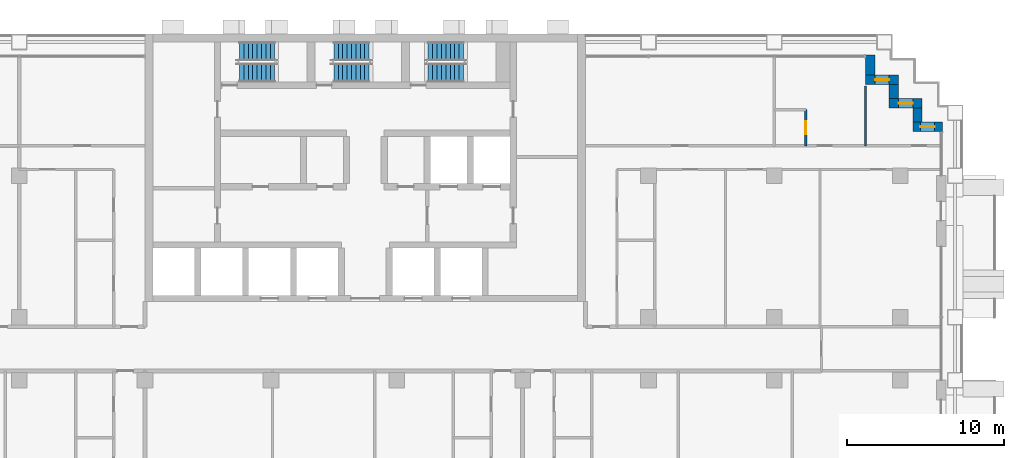
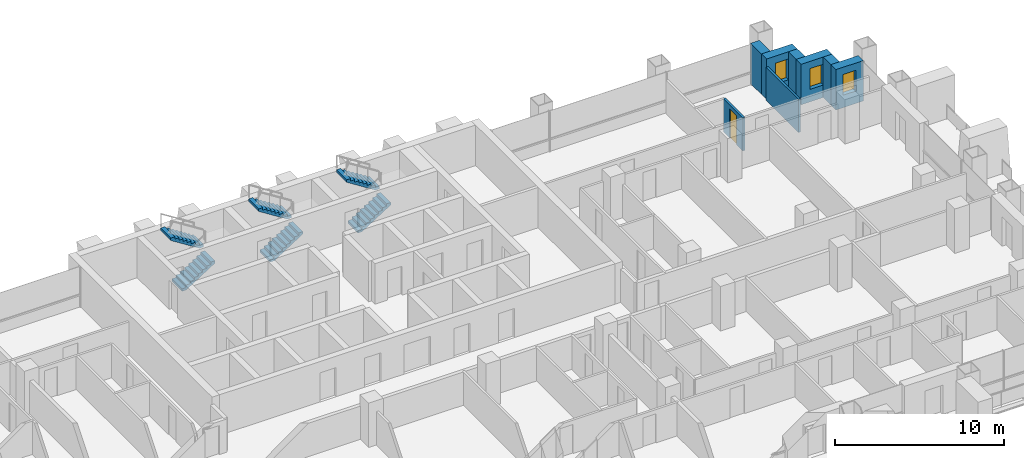
# One storey, part 14 of 18: 8 walls, 6 stair flights, 3 windows, 1 door, 4 openings, 3 elements without a shape of their own.
"""IFC4 building model written with IfcOpenShell, lengths in metres."""

from ifc_helpers import new_model, si_unit, direction, frame, frame_2d, origin, place, context, subcontext, project, spatial, polyline, rectangle, outline, extrude, material, layer, layer_set, type_object, element, fill, aggregate, save


model = new_model("IFC4")

# Units and contexts
model_context = context("Model", 3, precision=1e-05, world=origin(), true_north=direction((0.0, 1.0)))
body_context = subcontext(model_context, "Body", "Model", "MODEL_VIEW")
ifc_project = project(units=[si_unit("LENGTHUNIT", "METRE"), si_unit("AREAUNIT", "SQUARE_METRE"), si_unit("VOLUMEUNIT", "CUBIC_METRE"), si_unit("PLANEANGLEUNIT", "RADIAN"), si_unit("MASSUNIT", "GRAM", prefix="KILO")], contexts=[model_context])

# Site, building, storey
site_placement = place(None, origin())
site = spatial("IfcSite", under=ifc_project, at=site_placement, CompositionType="ELEMENT")
building_placement = place(site_placement, origin())
building = spatial("IfcBuilding", under=site, at=building_placement, Name="Vidyagriha Tower", CompositionType="ELEMENT")
storey_placement = place(building_placement, frame((0.0, 0.0, 51.199951171875)))
storey = spatial("IfcBuildingStorey", under=building, at=storey_placement, Name="L13", CompositionType="ELEMENT", Elevation=51.199951171875)

# Wall, opening, window
ifc_material_1 = material(Name="Precast concrete C40/50 with brick facing", Category="concrete")
ifc_layer_1 = layer(ifc_material_1, 0.60009765625)
ifc_layer_set_1 = layer_set([ifc_layer_1], Name="Precast concrete C40/50 with brick facing")
wall_type_1 = type_object("IfcWallType", Name="Brick-faced precast wall 600", PredefinedType="STANDARD", material=ifc_layer_set_1)
wall_1_placement = place(storey_placement, frame((36.679931640625, 14.10009765625, 0.0), z_axis=(0.0, 0.0, 1.0), x_axis=(-1.0, 0.0, 0.0)))
wall_1 = element("IfcWall", 1, at=wall_1_placement, inside=storey, type_object=wall_type_1, Name="Stepped corner wall L13 R01", PredefinedType="STANDARD", context=body_context, shape_type="SweptSolid", body=[
    extrude(rectangle(XDim=1.8798828125, YDim=0.60009765625, at=frame_2d((0.93994140625, 0.0))), origin(), (0.0, 0.0, 1.0), 2.920166015625),
])
opening_1_placement = place(wall_1_placement, frame((0.489990234375, 0.0, 0.89990234375)))
opening_1 = element("IfcOpeningElement", 2, at=opening_1_placement, cuts=wall_1, Name="Opening WN1", PredefinedType="OPENING", context=body_context, shape_type="SweptSolid", body=[
    extrude(rectangle(XDim=0.89990234375, YDim=1.5, at=frame_2d((0.449951171875, 0.75))), frame((0.0, 0.31005859375, 0.0), z_axis=(0.0, -1.0, 0.0), x_axis=(1.0, 0.0, 0.0)), (0.0, 0.0, 1.0), 0.6201171875),
])
ifc_material_2 = material(Name="Aluminium and glass window", Category="aluminium")
window_type = type_object("IfcWindowType", Name="Reveal window 900x1500", PartitioningType="NOTDEFINED", PredefinedType="WINDOW", material=ifc_material_2)
window_1_placement = place(opening_1_placement, origin())
window_1 = element("IfcWindow", 3, at=window_1_placement, inside=storey, type_object=window_type, Name="Reveal window L13 R01", OverallHeight=1.5, OverallWidth=0.89990234375, PartitioningType="SINGLE_PANEL", PredefinedType="WINDOW", context=body_context, shape_type="SweptSolid", body=[
    extrude(rectangle(XDim=0.89990234375, YDim=1.5, at=frame_2d((0.449951171875, 0.75))), frame((0.0, 0.030029296875, 0.0), z_axis=(0.0, -1.0, 0.0), x_axis=(1.0, 0.0, 0.0)), (0.0, 0.0, 1.0), 0.06005859375),
])
fill(opening_1, window_1)

# Wall
wall_2_placement = place(storey_placement, frame((35.10009765625, 14.39990234375, 0.0), z_axis=(0.0, 0.0, 1.0), x_axis=(0.0, 1.0, 0.0)))
element("IfcWall", 4, at=wall_2_placement, inside=storey, type_object=wall_type_1, Name="Stepped corner wall L13 R02", PredefinedType="STANDARD", context=body_context, shape_type="SweptSolid", body=[
    extrude(rectangle(XDim=0.900146484375, YDim=0.60009765625, at=frame_2d((0.4501953125, 0.0))), origin(), (0.0, 0.0, 1.0), 2.920166015625),
])

# Wall, opening, window
wall_3_placement = place(storey_placement, frame((35.39990234375, 15.60009765625, 0.0), z_axis=(0.0, 0.0, 1.0), x_axis=(-1.0, 0.0, 0.0)))
wall_3 = element("IfcWall", 5, at=wall_3_placement, inside=storey, type_object=wall_type_1, Name="Stepped corner wall L13 R03", PredefinedType="STANDARD", context=body_context, shape_type="SweptSolid", body=[
    extrude(rectangle(XDim=2.099853515625, YDim=0.60009765625, at=frame_2d((1.0498046875, 0.0))), origin(), (0.0, 0.0, 1.0), 2.920166015625),
])
opening_2_placement = place(wall_3_placement, frame((0.60009765625, 0.0, 0.89990234375)))
opening_2 = element("IfcOpeningElement", 6, at=opening_2_placement, cuts=wall_3, Name="Opening WN1", PredefinedType="OPENING", context=body_context, shape_type="SweptSolid", body=[
    extrude(rectangle(XDim=0.89990234375, YDim=1.5, at=frame_2d((0.449951171875, 0.75))), frame((0.0, 0.31005859375, 0.0), z_axis=(0.0, -1.0, 0.0), x_axis=(1.0, 0.0, 0.0)), (0.0, 0.0, 1.0), 0.6201171875),
])
window_2_placement = place(opening_2_placement, origin())
window_2 = element("IfcWindow", 7, at=window_2_placement, inside=storey, type_object=window_type, Name="Reveal window L13 R03", OverallHeight=1.5, OverallWidth=0.89990234375, PartitioningType="SINGLE_PANEL", PredefinedType="WINDOW", context=body_context, shape_type="SweptSolid", body=[
    extrude(rectangle(XDim=0.89990234375, YDim=1.5, at=frame_2d((0.449951171875, 0.75))), frame((0.0, 0.030029296875, 0.0), z_axis=(0.0, -1.0, 0.0), x_axis=(1.0, 0.0, 0.0)), (0.0, 0.0, 1.0), 0.06005859375),
])
fill(opening_2, window_2)

# Wall
wall_4_placement = place(storey_placement, frame((33.60009765625, 15.89990234375, 0.0), z_axis=(0.0, 0.0, 1.0), x_axis=(0.0, 1.0, 0.0)))
element("IfcWall", 8, at=wall_4_placement, inside=storey, type_object=wall_type_1, Name="Stepped corner wall L13 R04", PredefinedType="STANDARD", context=body_context, shape_type="SweptSolid", body=[
    extrude(rectangle(XDim=0.900146484375, YDim=0.60009765625, at=frame_2d((0.4501953125, 0.0))), origin(), (0.0, 0.0, 1.0), 2.920166015625),
])

# Wall, opening, window
wall_5_placement = place(storey_placement, frame((33.89990234375, 17.10009765625, 0.0), z_axis=(0.0, 0.0, 1.0), x_axis=(-1.0, 0.0, 0.0)))
wall_5 = element("IfcWall", 9, at=wall_5_placement, inside=storey, type_object=wall_type_1, Name="Stepped corner wall L13 R05", PredefinedType="STANDARD", context=body_context, shape_type="SweptSolid", body=[
    extrude(rectangle(XDim=2.099853515625, YDim=0.60009765625, at=frame_2d((1.0498046875, 0.0))), origin(), (0.0, 0.0, 1.0), 2.920166015625),
])
opening_3_placement = place(wall_5_placement, frame((0.60009765625, 0.0, 0.89990234375)))
opening_3 = element("IfcOpeningElement", 10, at=opening_3_placement, cuts=wall_5, Name="Opening WN1", PredefinedType="OPENING", context=body_context, shape_type="SweptSolid", body=[
    extrude(rectangle(XDim=0.89990234375, YDim=1.5, at=frame_2d((0.449951171875, 0.75))), frame((0.0, 0.31005859375, 0.0), z_axis=(0.0, -1.0, 0.0), x_axis=(1.0, 0.0, 0.0)), (0.0, 0.0, 1.0), 0.6201171875),
])
window_3_placement = place(opening_3_placement, origin())
window_3 = element("IfcWindow", 11, at=window_3_placement, inside=storey, type_object=window_type, Name="Reveal window L13 R05", OverallHeight=1.5, OverallWidth=0.89990234375, PartitioningType="SINGLE_PANEL", PredefinedType="WINDOW", context=body_context, shape_type="SweptSolid", body=[
    extrude(rectangle(XDim=0.89990234375, YDim=1.5, at=frame_2d((0.449951171875, 0.75))), frame((0.0, 0.030029296875, 0.0), z_axis=(0.0, -1.0, 0.0), x_axis=(1.0, 0.0, 0.0)), (0.0, 0.0, 1.0), 0.06005859375),
])
fill(opening_3, window_3)

# Walls
wall_6_placement = place(storey_placement, frame((32.10009765625, 17.39990234375, 0.0), z_axis=(0.0, 0.0, 1.0), x_axis=(0.0, 1.0, 0.0)))
element("IfcWall", 12, at=wall_6_placement, inside=storey, type_object=wall_type_1, Name="Stepped corner wall L13 R06", PredefinedType="STANDARD", context=body_context, shape_type="SweptSolid", body=[
    extrude(rectangle(XDim=1.280029296875, YDim=0.60009765625, at=frame_2d((0.64013671875, 0.0))), origin(), (0.0, 0.0, 1.0), 2.920166015625),
])
ifc_material_3 = material(Name="Gypsum board partition")
ifc_layer_2 = layer(ifc_material_3, 0.14990234375)
ifc_layer_set_2 = layer_set([ifc_layer_2], Name="Gypsum board partition")
wall_type_2 = type_object("IfcWallType", Name="Gypsum board partition 150", PredefinedType="PARTITIONING", material=ifc_layer_set_2)
wall_7_placement = place(storey_placement, frame((31.800048828125, 16.719970703125, 0.0), z_axis=(0.0, 0.0, 1.0), x_axis=(0.0, -1.0, 0.0)))
element("IfcWall", 13, at=wall_7_placement, inside=storey, type_object=wall_type_2, Name="Wall all-L13-w120", PredefinedType="PARTITIONING", context=body_context, shape_type="SweptSolid", body=[
    extrude(rectangle(XDim=3.820068359375, YDim=0.14990234375, at=frame_2d((1.91015625, 0.0))), origin(), (0.0, 0.0, 1.0), 2.400146484375),
])

# Wall, opening, door
wall_8_placement = place(storey_placement, frame((28.0, 15.199951171875, 0.0), z_axis=(0.0, 0.0, 1.0), x_axis=(0.0, -1.0, 0.0)))
wall_8 = element("IfcWall", 14, at=wall_8_placement, inside=storey, type_object=wall_type_2, Name="Wall all-L13-w121", PredefinedType="PARTITIONING", context=body_context, shape_type="SweptSolid", body=[
    extrude(rectangle(XDim=2.300048828125, YDim=0.14990234375, at=frame_2d((1.14990234375, 0.0))), origin(), (0.0, 0.0, 1.0), 2.400146484375),
])
opening_4_placement = place(wall_8_placement, frame((0.75, 0.0, 0.0)))
opening_4 = element("IfcOpeningElement", 15, at=opening_4_placement, cuts=wall_8, Name="Opening D13-67", PredefinedType="OPENING", context=body_context, shape_type="SweptSolid", body=[
    extrude(rectangle(XDim=0.800048828125, YDim=2.10009765625, at=frame_2d((0.39990234375, 1.050048828125))), frame((0.0, 0.0849609375, 0.0), z_axis=(0.0, -1.0, 0.0), x_axis=(1.0, 0.0, 0.0)), (0.0, 0.0, 1.0), 0.169921875),
])
ifc_material_4 = material(Name="Timber door leaf", Category="wood")
door_type = type_object("IfcDoorType", Name="Bathroom door 800x2100", OperationType="NOTDEFINED", PredefinedType="DOOR", material=ifc_material_4)
door_placement = place(opening_4_placement, origin())
door = element("IfcDoor", 16, at=door_placement, inside=storey, type_object=door_type, Name="Door D13-67", OperationType="SINGLE_SWING_RIGHT", OverallHeight=2.10009765625, OverallWidth=0.800048828125, PredefinedType="DOOR", context=body_context, shape_type="SweptSolid", body=[
    extrude(rectangle(XDim=0.800048828125, YDim=2.10009765625, at=frame_2d((0.39990234375, 1.050048828125))), frame((0.0, 0.02490234375, 0.0), z_axis=(0.0, -1.0, 0.0), x_axis=(1.0, 0.0, 0.0)), (0.0, 0.0, 1.0), 0.050048828125),
])
fill(opening_4, door)

# Stair, stair flights
ifc_material_5 = material(Name="Concrete C40/50", Category="concrete")
stair_type = type_object("IfcStairType", Name="Exit stair, half-turn, precast flights", PredefinedType="HALF_TURN_STAIR", material=ifc_material_5)
stair_1_placement = place(storey_placement, origin())
stair_1 = element("IfcStair", 17, at=stair_1_placement, inside=storey, type_object=stair_type, Name="L13 Exit Stair ST1", PredefinedType="HALF_TURN_STAIR")
ifc_material_6 = material(Name="Precast concrete C40/50", Category="concrete")
stair_flight_type = type_object("IfcStairFlightType", Name="Exit stair flight 1200 mm, precast", PredefinedType="STRAIGHT", material=ifc_material_6)
stair_flight_1_placement = place(storey_placement, frame((-8.0, 17.550048828125, 0.0)))
stair_flight_1 = element("IfcStairFlight", 18, at=stair_flight_1_placement, type_object=stair_flight_type, Name="ST1 flight 1", NumberOfRisers=9, NumberOfTreads=8, PredefinedType="STRAIGHT", RiserHeight=0.177777778, TreadLength=0.28, context=body_context, shape_type="SweptSolid", body=[
    extrude(outline(polyline([(0.0, 0.0), (0.0, 0.177734375), (0.280029296875, 0.177734375), (0.280029296875, 0.35546875), (0.56005859375, 0.35546875), (0.56005859375, 0.533447265625), (0.840087890625, 0.533447265625), (0.840087890625, 0.711181640625), (1.1201171875, 0.711181640625), (1.1201171875, 0.888916015625), (1.39990234375, 0.888916015625), (1.39990234375, 1.066650390625), (1.679931640625, 1.066650390625), (1.679931640625, 1.244384765625), (1.9599609375, 1.244384765625), (1.9599609375, 1.422119140625), (2.239990234375, 1.422119140625), (2.239990234375, 1.60009765625), (2.239990234375, 1.24462890625), (0.27978515625, 0.0), (0.0, 0.0)])), frame((0.0, 0.60009765625, 0.0), z_axis=(0.0, -1.0, 0.0), x_axis=(1.0, 0.0, 0.0)), (0.0, 0.0, 1.0), 1.199951171875),
])
stair_flight_2_placement = place(storey_placement, frame((-5.760009765625, 18.89990234375, 1.60009765625), z_axis=(0.0, 0.0, 1.0), x_axis=(-1.0, 0.0, 0.0)))
stair_flight_2 = element("IfcStairFlight", 19, at=stair_flight_2_placement, type_object=stair_flight_type, Name="ST1 flight 2", NumberOfRisers=9, NumberOfTreads=8, PredefinedType="STRAIGHT", RiserHeight=0.177777778, TreadLength=0.28, context=body_context, shape_type="SweptSolid", body=[
    extrude(outline(polyline([(0.0, 0.0), (0.0, 0.177734375), (0.280029296875, 0.177734375), (0.280029296875, 0.35546875), (0.56005859375, 0.35546875), (0.56005859375, 0.533447265625), (0.840087890625, 0.533447265625), (0.840087890625, 0.711181640625), (1.1201171875, 0.711181640625), (1.1201171875, 0.888916015625), (1.39990234375, 0.888916015625), (1.39990234375, 1.066650390625), (1.679931640625, 1.066650390625), (1.679931640625, 1.244384765625), (1.9599609375, 1.244384765625), (1.9599609375, 1.422119140625), (2.239990234375, 1.422119140625), (2.239990234375, 1.60009765625), (2.239990234375, 1.24462890625), (0.27978515625, 0.0), (0.0, 0.0)])), frame((0.0, 0.60009765625, 0.0), z_axis=(0.0, -1.0, 0.0), x_axis=(1.0, 0.0, 0.0)), (0.0, 0.0, 1.0), 1.199951171875),
])
aggregate(stair_1, [stair_flight_1, stair_flight_2])

stair_2_placement = place(storey_placement, origin())
stair_2 = element("IfcStair", 20, at=stair_2_placement, inside=storey, type_object=stair_type, Name="L13 Exit Stair ST2", PredefinedType="HALF_TURN_STAIR")
stair_flight_3_placement = place(storey_placement, frame((-2.0, 17.550048828125, 0.0)))
stair_flight_3 = element("IfcStairFlight", 21, at=stair_flight_3_placement, type_object=stair_flight_type, Name="ST2 flight 1", NumberOfRisers=9, NumberOfTreads=8, PredefinedType="STRAIGHT", RiserHeight=0.177777778, TreadLength=0.28, context=body_context, shape_type="SweptSolid", body=[
    extrude(outline(polyline([(0.0, 0.0), (0.0, 0.177734375), (0.280029296875, 0.177734375), (0.280029296875, 0.35546875), (0.56005859375, 0.35546875), (0.56005859375, 0.533447265625), (0.840087890625, 0.533447265625), (0.840087890625, 0.711181640625), (1.1201171875, 0.711181640625), (1.1201171875, 0.888916015625), (1.39990234375, 0.888916015625), (1.39990234375, 1.066650390625), (1.679931640625, 1.066650390625), (1.679931640625, 1.244384765625), (1.9599609375, 1.244384765625), (1.9599609375, 1.422119140625), (2.239990234375, 1.422119140625), (2.239990234375, 1.60009765625), (2.239990234375, 1.24462890625), (0.27978515625, 0.0), (0.0, 0.0)])), frame((0.0, 0.60009765625, 0.0), z_axis=(0.0, -1.0, 0.0), x_axis=(1.0, 0.0, 0.0)), (0.0, 0.0, 1.0), 1.199951171875),
])
stair_flight_4_placement = place(storey_placement, frame((0.239990234375, 18.89990234375, 1.60009765625), z_axis=(0.0, 0.0, 1.0), x_axis=(-1.0, 0.0, 0.0)))
stair_flight_4 = element("IfcStairFlight", 22, at=stair_flight_4_placement, type_object=stair_flight_type, Name="ST2 flight 2", NumberOfRisers=9, NumberOfTreads=8, PredefinedType="STRAIGHT", RiserHeight=0.177777778, TreadLength=0.28, context=body_context, shape_type="SweptSolid", body=[
    extrude(outline(polyline([(0.0, 0.0), (0.0, 0.177734375), (0.280029296875, 0.177734375), (0.280029296875, 0.35546875), (0.56005859375, 0.35546875), (0.56005859375, 0.533447265625), (0.840087890625, 0.533447265625), (0.840087890625, 0.711181640625), (1.1201171875, 0.711181640625), (1.1201171875, 0.888916015625), (1.39990234375, 0.888916015625), (1.39990234375, 1.066650390625), (1.679931640625, 1.066650390625), (1.679931640625, 1.244384765625), (1.9599609375, 1.244384765625), (1.9599609375, 1.422119140625), (2.239990234375, 1.422119140625), (2.239990234375, 1.60009765625), (2.239990234375, 1.24462890625), (0.27978515625, 0.0), (0.0, 0.0)])), frame((0.0, 0.60009765625, 0.0), z_axis=(0.0, -1.0, 0.0), x_axis=(1.0, 0.0, 0.0)), (0.0, 0.0, 1.0), 1.199951171875),
])
aggregate(stair_2, [stair_flight_3, stair_flight_4])

stair_3_placement = place(storey_placement, origin())
stair_3 = element("IfcStair", 23, at=stair_3_placement, inside=storey, type_object=stair_type, Name="L13 Exit Stair ST3", PredefinedType="HALF_TURN_STAIR")
stair_flight_5_placement = place(storey_placement, frame((4.0, 17.550048828125, 0.0)))
stair_flight_5 = element("IfcStairFlight", 24, at=stair_flight_5_placement, type_object=stair_flight_type, Name="ST3 flight 1", NumberOfRisers=9, NumberOfTreads=8, PredefinedType="STRAIGHT", RiserHeight=0.177777778, TreadLength=0.28, context=body_context, shape_type="SweptSolid", body=[
    extrude(outline(polyline([(0.0, 0.0), (0.0, 0.177734375), (0.280029296875, 0.177734375), (0.280029296875, 0.35546875), (0.56005859375, 0.35546875), (0.56005859375, 0.533447265625), (0.840087890625, 0.533447265625), (0.840087890625, 0.711181640625), (1.1201171875, 0.711181640625), (1.1201171875, 0.888916015625), (1.39990234375, 0.888916015625), (1.39990234375, 1.066650390625), (1.679931640625, 1.066650390625), (1.679931640625, 1.244384765625), (1.9599609375, 1.244384765625), (1.9599609375, 1.422119140625), (2.239990234375, 1.422119140625), (2.239990234375, 1.60009765625), (2.239990234375, 1.24462890625), (0.27978515625, 0.0), (0.0, 0.0)])), frame((0.0, 0.60009765625, 0.0), z_axis=(0.0, -1.0, 0.0), x_axis=(1.0, 0.0, 0.0)), (0.0, 0.0, 1.0), 1.199951171875),
])
stair_flight_6_placement = place(storey_placement, frame((6.239990234375, 18.89990234375, 1.60009765625), z_axis=(0.0, 0.0, 1.0), x_axis=(-1.0, 0.0, 0.0)))
stair_flight_6 = element("IfcStairFlight", 25, at=stair_flight_6_placement, type_object=stair_flight_type, Name="ST3 flight 2", NumberOfRisers=9, NumberOfTreads=8, PredefinedType="STRAIGHT", RiserHeight=0.177777778, TreadLength=0.28, context=body_context, shape_type="SweptSolid", body=[
    extrude(outline(polyline([(0.0, 0.0), (0.0, 0.177734375), (0.280029296875, 0.177734375), (0.280029296875, 0.35546875), (0.56005859375, 0.35546875), (0.56005859375, 0.533447265625), (0.840087890625, 0.533447265625), (0.840087890625, 0.711181640625), (1.1201171875, 0.711181640625), (1.1201171875, 0.888916015625), (1.39990234375, 0.888916015625), (1.39990234375, 1.066650390625), (1.679931640625, 1.066650390625), (1.679931640625, 1.244384765625), (1.9599609375, 1.244384765625), (1.9599609375, 1.422119140625), (2.239990234375, 1.422119140625), (2.239990234375, 1.60009765625), (2.239990234375, 1.24462890625), (0.27978515625, 0.0), (0.0, 0.0)])), frame((0.0, 0.60009765625, 0.0), z_axis=(0.0, -1.0, 0.0), x_axis=(1.0, 0.0, 0.0)), (0.0, 0.0, 1.0), 1.199951171875),
])
aggregate(stair_3, [stair_flight_5, stair_flight_6])

save(model, "model.ifc")
